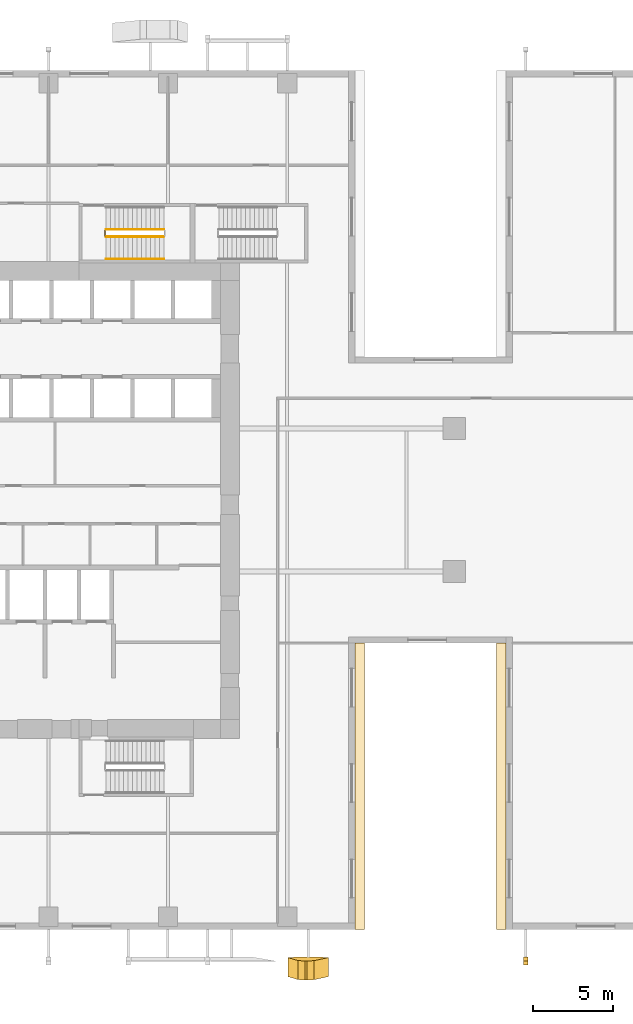
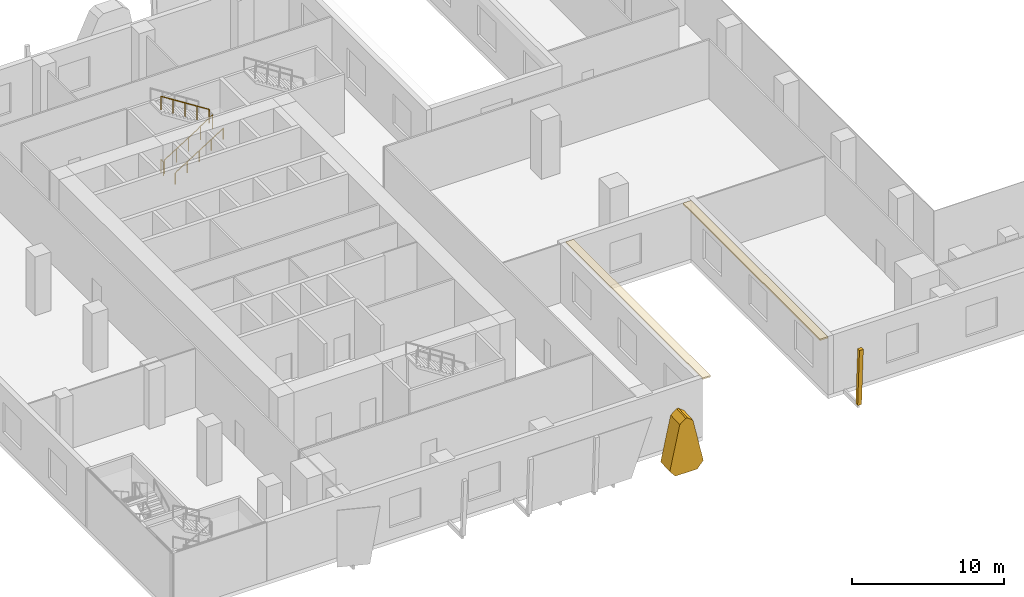
# One storey, part 18 of 22: 4 coverings, 4 railings.
"""IFC4 building model written with IfcOpenShell, lengths in metres."""

from ifc_helpers import new_model, si_unit, direction, frame, origin, origin_2d, place, context, subcontext, project, spatial, polyline, circle, outline, extrude, source, transform, mapped, material, layer, layer_set, type_object, element, save


model = new_model("IFC4")

# Units and contexts
model_context = context("Model", 3, precision=1e-05, world=origin(), true_north=direction((0.0, 1.0)))
body_context = subcontext(model_context, "Body", "Model", "MODEL_VIEW")
ifc_project = project(units=[si_unit("LENGTHUNIT", "METRE"), si_unit("AREAUNIT", "SQUARE_METRE"), si_unit("VOLUMEUNIT", "CUBIC_METRE"), si_unit("PLANEANGLEUNIT", "RADIAN"), si_unit("MASSUNIT", "GRAM", prefix="KILO")], contexts=[model_context])

# Site, building, storey
site_placement = place(None, origin())
site = spatial("IfcSite", under=ifc_project, at=site_placement, CompositionType="ELEMENT")
building_placement = place(site_placement, origin())
building = spatial("IfcBuilding", under=site, at=building_placement, Name="Khomas Fold Tower", CompositionType="ELEMENT")
storey_placement = place(building_placement, frame((0.0, 0.0, 23.5)))
storey = spatial("IfcBuildingStorey", under=building, at=storey_placement, Name="L04", CompositionType="ELEMENT", Elevation=23.5)

# Coverings
ifc_material_1 = material(Name="Natural stone cladding", Category="masonry")
ifc_layer_1 = layer(ifc_material_1, 0.25)
ifc_layer_set_1 = layer_set([ifc_layer_1], Name="Natural stone cladding")
covering_type_1 = type_object("IfcCoveringType", Name="SK-Karibib marble stone mullion", PredefinedType="CLADDING", material=ifc_layer_set_1)
covering_1_placement = place(storey_placement, frame((42.14990234375, -1.97705078125, 4.550048828125), z_axis=(0.0, 0.998628761104, 0.052350716295), x_axis=(0.0, 0.052350716295, -0.998628761104)))
element("IfcCovering", 1, at=covering_1_placement, inside=storey, type_object=covering_type_1, Name="OUTER SKIN mullion L04 SM106-7", PredefinedType="CLADDING", context=body_context, shape_type="SweptSolid", body=[
    extrude(outline(polyline([(0.0, 0.0), (4.556296599245323, 0.0), (4.556296599245323, 0.2998046875), (0.0, 0.2998046875), (0.0, 0.0)])), origin(), (0.0, 0.0, -1.0), 0.25),
])
ifc_material_2 = material(Name="Natural stone cladding", Category="masonry")
ifc_layer_2 = layer(ifc_material_2, 1.199951171875)
ifc_layer_set_2 = layer_set([ifc_layer_2], Name="Natural stone cladding")
covering_type_2 = type_object("IfcCoveringType", Name="SK-Karibib marble stone panel", PredefinedType="CLADDING", material=ifc_layer_set_2)
covering_2_placement = place(storey_placement, frame((27.04296875, -1.76611328125, 0.5283203125), z_axis=(-1.3749206e-05, 0.998629487676, 0.052336852742), x_axis=(0.173858024982, -0.051537413458, 0.983421212992)))
element("IfcCovering", 2, at=covering_2_placement, inside=storey, type_object=covering_type_2, Name="OUTER SKIN leaf L04 SS06-1", PredefinedType="CLADDING", context=body_context, shape_type="SweptSolid", body=[
    extrude(outline(polyline([(0.0, 0.0), (3.7114402408238973, 0.0), (4.155147715386132, 0.3716328258296838), (4.176879968508926, 0.4947291668445698), (3.9143984569562624, 0.9850873423542535), (0.46978713995461957, 2.4978683580688807), (-0.1551428015901538, 2.1641797479502425), (-0.44390162579789977, 0.5285852012231557), (0.0, 0.0)])), origin(), (0.0, 0.0, -1.0), 1.199951171875),
])
ifc_material_3 = material(Name="Natural stone cladding", Category="masonry")
ifc_layer_3 = layer(ifc_material_3, 0.1201171875)
ifc_layer_set_3 = layer_set([ifc_layer_3], Name="Natural stone cladding")
covering_type_3 = type_object("IfcCoveringType", Name="Notch soffit stone GN-SF", PredefinedType="CLADDING", material=ifc_layer_set_3)
shared_shape_1 = source(origin(), body_context, "Body", "SweptSolid", [
    extrude(outline(polyline([(40.14990234375, 18.0), (40.14990234375, 0.0), (40.75, 0.0), (40.75, 18.0), (40.14990234375, 18.0)])), origin(), (0.0, 0.0, 1.0), 0.119873046875),
])
covering_3_placement = place(storey_placement, frame((0.0, 0.0, 4.580078125)))
element("IfcCovering", 3, at=covering_3_placement, inside=storey, type_object=covering_type_3, Name="Notch soffit stone", PredefinedType="CLADDING", context=body_context, shape_type="MappedRepresentation", body=[
    mapped(shared_shape_1, transform((0.0, 0.0, 0.0))),
])
shared_shape_2 = source(origin(), body_context, "Body", "SweptSolid", [
    extrude(outline(polyline([(31.85009765625, 0.0), (31.85009765625, 18.0), (31.25, 18.0), (31.25, 0.0), (31.85009765625, 0.0)])), origin(), (0.0, 0.0, 1.0), 0.119873046875),
])
covering_4_placement = place(storey_placement, frame((0.0, 0.0, 4.580078125)))
element("IfcCovering", 4, at=covering_4_placement, inside=storey, type_object=covering_type_3, Name="Notch soffit stone", PredefinedType="CLADDING", context=body_context, shape_type="MappedRepresentation", body=[
    mapped(shared_shape_2, transform((0.0, 0.0, 0.0))),
])

# Railings
ifc_material_4 = material(Name="Steel balustrade", Category="steel")
railing_type_1 = type_object("IfcRailingType", Name="Stair guard", PredefinedType="GUARDRAIL", material=ifc_material_4)
shared_shape_3 = source(origin(), body_context, "Body", "SweptSolid", [
    extrude(circle(Radius=0.02392578125, at=origin_2d()), frame((0.0, 0.0, 1.076171875), z_axis=(0.0, 1.0, 0.0), x_axis=(-1.0, 0.0, 0.0)), (0.0, 0.0, 1.0), 0.349853515625),
    extrude(circle(Radius=0.02099609375, at=origin_2d()), origin(), (0.0, 0.0, 1.0), 1.052001953125),
    extrude(circle(Radius=0.02099609375, at=origin_2d()), frame((0.0, 0.349853515625, 0.0)), (0.0, 0.0, 1.0), 1.052001953125),
])
railing_1_placement = place(storey_placement, frame((15.550048828125, 43.60009765625, 0.0)))
element("IfcRailing", 5, at=railing_1_placement, inside=storey, type_object=railing_type_1, Name="L04 ST1 stair guard 4", PredefinedType="GUARDRAIL", context=body_context, shape_type="MappedRepresentation", body=[
    mapped(shared_shape_3, transform((0.0, 0.0, 0.0))),
])
shared_shape_4 = source(origin(), body_context, "Body", "SweptSolid", [
    extrude(circle(Radius=0.02392578125, at=origin_2d()), frame((0.0, 0.0, 1.076171875), z_axis=(0.843111507901, 0.0, 0.53773877045), x_axis=(0.0, 1.0, 0.0)), (0.0, 0.0, 1.0), 4.317138671875),
    extrude(circle(Radius=0.02099609375, at=origin_2d()), origin(), (0.0, 0.0, 1.0), 1.052001953125),
    extrude(circle(Radius=0.02099609375, at=origin_2d()), frame((0.909912109375, 0.0, 0.580322265625)), (0.0, 0.0, 1.0), 1.052001953125),
    extrude(circle(Radius=0.02099609375, at=origin_2d()), frame((1.81982421875, 0.0, 1.16064453125)), (0.0, 0.0, 1.0), 1.052001953125),
    extrude(circle(Radius=0.02099609375, at=origin_2d()), frame((2.72998046875, 0.0, 1.7412109375)), (0.0, 0.0, 1.0), 1.052001953125),
    extrude(circle(Radius=0.02099609375, at=origin_2d()), frame((3.639892578125, 0.0, 2.321533203125)), (0.0, 0.0, 1.0), 1.052001953125),
])
railing_2_placement = place(storey_placement, frame((15.60009765625, 43.550048828125, 0.178466796875)))
element("IfcRailing", 6, at=railing_2_placement, inside=storey, type_object=railing_type_1, Name="L04 ST1 stair guard 1", PredefinedType="GUARDRAIL", context=body_context, shape_type="MappedRepresentation", body=[
    mapped(shared_shape_4, transform((0.0, 0.0, 0.0))),
])
shared_shape_5 = source(origin(), body_context, "Body", "SweptSolid", [
    extrude(circle(Radius=0.02392578125, at=origin_2d()), frame((0.0, 0.0, 1.076171875), z_axis=(-0.843111507901, 0.0, 0.53773877045), x_axis=(0.0, -1.0, 0.0)), (0.0, 0.0, 1.0), 4.317138671875),
    extrude(circle(Radius=0.02099609375, at=origin_2d()), origin(), (0.0, 0.0, 1.0), 1.052001953125),
    extrude(circle(Radius=0.02099609375, at=origin_2d()), frame((-0.909912109375, 0.0, 0.580322265625)), (0.0, 0.0, 1.0), 1.052001953125),
    extrude(circle(Radius=0.02099609375, at=origin_2d()), frame((-1.81982421875, 0.0, 1.16064453125)), (0.0, 0.0, 1.0), 1.052001953125),
    extrude(circle(Radius=0.02099609375, at=origin_2d()), frame((-2.72998046875, 0.0, 1.7412109375)), (0.0, 0.0, 1.0), 1.052001953125),
    extrude(circle(Radius=0.02099609375, at=origin_2d()), frame((-3.639892578125, 0.0, 2.321533203125)), (0.0, 0.0, 1.0), 1.052001953125),
])
railing_3_placement = place(storey_placement, frame((19.239990234375, 44.0, 2.678466796875)))
element("IfcRailing", 7, at=railing_3_placement, inside=storey, type_object=railing_type_1, Name="L04 ST1 stair guard 3", PredefinedType="GUARDRAIL", context=body_context, shape_type="MappedRepresentation", body=[
    mapped(shared_shape_5, transform((0.0, 0.0, 0.0))),
])
ifc_material_5 = material(Name="Steel handrail", Category="steel")
railing_type_2 = type_object("IfcRailingType", Name="Stair handrail", PredefinedType="HANDRAIL", material=ifc_material_5)
shared_shape_6 = source(origin(), body_context, "Body", "SweptSolid", [
    extrude(circle(Radius=0.02392578125, at=origin_2d()), frame((0.0, 0.0, 0.8759765625), z_axis=(0.843111507901, 0.0, 0.53773877045), x_axis=(0.0, 1.0, 0.0)), (0.0, 0.0, 1.0), 4.317138671875),
    extrude(circle(Radius=0.02099609375, at=origin_2d()), origin(), (0.0, 0.0, 1.0), 0.851806640625),
    extrude(circle(Radius=0.02099609375, at=origin_2d()), frame((0.909912109375, 0.0, 0.580322265625)), (0.0, 0.0, 1.0), 0.851806640625),
    extrude(circle(Radius=0.02099609375, at=origin_2d()), frame((1.81982421875, 0.0, 1.16064453125)), (0.0, 0.0, 1.0), 0.851806640625),
    extrude(circle(Radius=0.02099609375, at=origin_2d()), frame((2.72998046875, 0.0, 1.7412109375)), (0.0, 0.0, 1.0), 0.851806640625),
    extrude(circle(Radius=0.02099609375, at=origin_2d()), frame((3.639892578125, 0.0, 2.321533203125)), (0.0, 0.0, 1.0), 0.851806640625),
])
railing_4_placement = place(storey_placement, frame((15.60009765625, 42.14990234375, 0.178466796875)))
element("IfcRailing", 8, at=railing_4_placement, inside=storey, type_object=railing_type_2, Name="L04 ST1 stair handrail 1", PredefinedType="HANDRAIL", context=body_context, shape_type="MappedRepresentation", body=[
    mapped(shared_shape_6, transform((0.0, 0.0, 0.0))),
])

save(model, "model.ifc")
